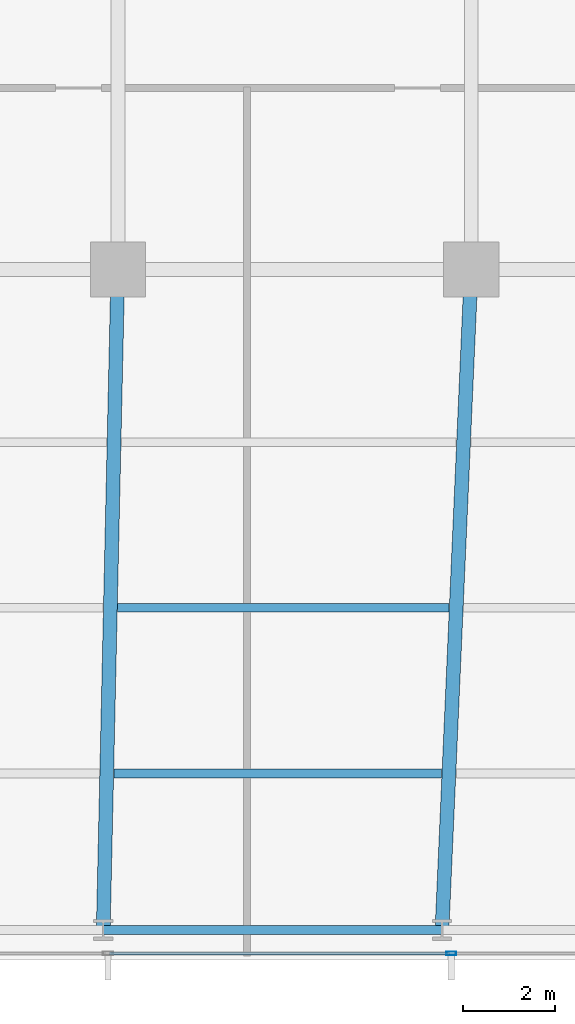
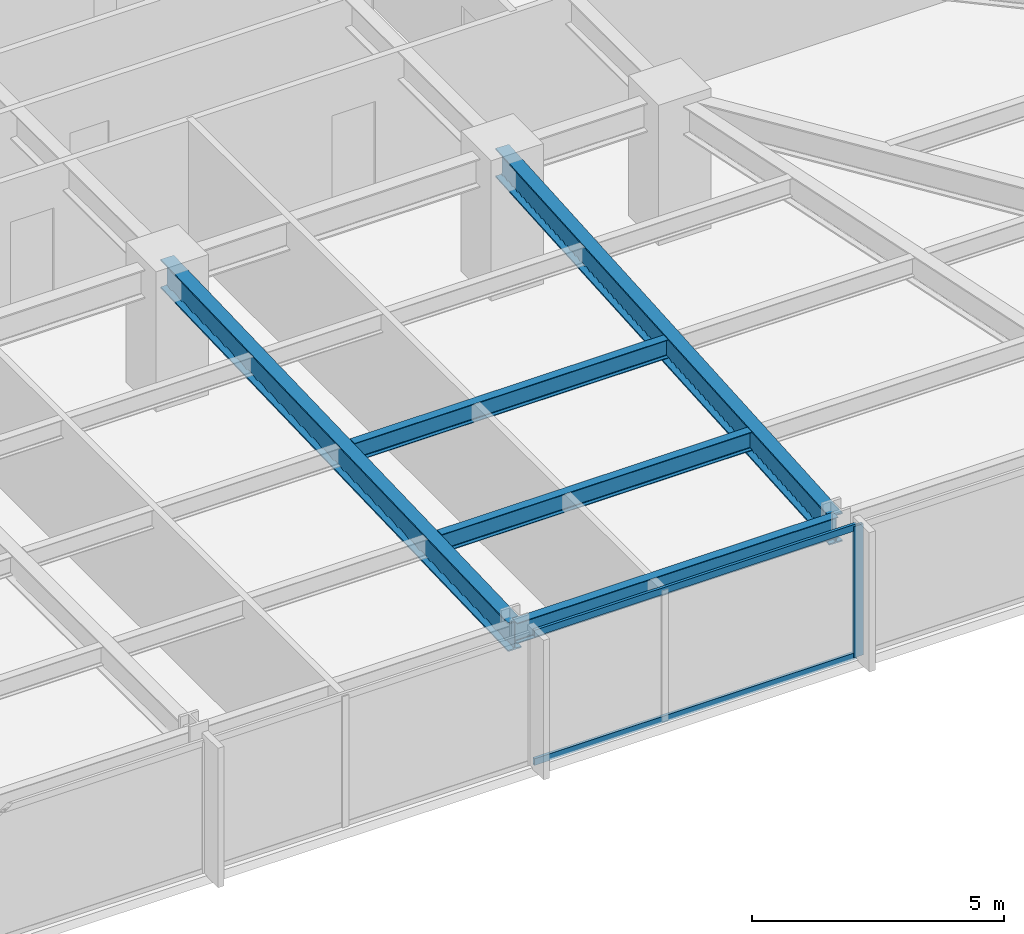
# One storey, part 12 of 32: 5 beams, 3 members, 1 element without a shape of its own.
"""IFC4 building model written with IfcOpenShell, lengths in metres."""

import ifcopenshell
import ifcopenshell.guid

model = None  # the IFC model being written
_history = None  # IfcOwnerHistory: only IFC2X3 demands one
_inside = {}  # id of a spatial element -> (the spatial element, [elements in it])
_under = {}  # id of a project, library or spatial element -> (it, [spatial elements below it])
_declared = {}  # id of a project -> (the project, [libraries it declares])
_typed = {}  # id of a type object -> (the type object, [elements of that type])
_made_of = {}  # id of a material, layer set ... -> (it, [elements and type objects made of it])


def new_model(schema):
    """Start an empty IFC model of exactly this schema.

    Asked for "IFC4X3", IfcOpenShell would pick the latest addendum, in which some entities
    have other attributes; the version numbers below select the first issue.
    IFC2X3 requires an IfcOwnerHistory on every rooted entity: one is made here for all.
    """
    global model, _history
    if schema == "IFC4X3":
        model = ifcopenshell.file(schema_version=(4, 3, 0, 0))
    else:
        model = ifcopenshell.file(schema=schema)
    _inside.clear()
    _under.clear()
    _declared.clear()
    _typed.clear()
    _made_of.clear()
    _history = None
    if model.schema == "IFC2X3":
        org = make("IfcOrganization", Name="unknown")
        user = make(
            "IfcPersonAndOrganization",
            ThePerson=make("IfcPerson", FamilyName="unknown"),
            TheOrganization=org,
        )
        app = make(
            "IfcApplication",
            ApplicationDeveloper=org,
            Version="unknown",
            ApplicationFullName="unknown",
            ApplicationIdentifier="unknown",
        )
        _history = make(
            "IfcOwnerHistory",
            OwningUser=user,
            OwningApplication=app,
            ChangeAction="ADDED",
            CreationDate=0,
        )
    return model


def make(cls, **values):
    """One entity of the class cls with the attributes given. An attribute that is None is left unset."""
    return model.create_entity(
        cls, **{name: value for name, value in values.items() if value is not None}
    )


def rooted(cls, **values):
    """An entity with a GlobalId (a new one), such as an element, a storey or a relation."""
    return make(cls, GlobalId=ifcopenshell.guid.new(), OwnerHistory=_history, **values)


def si_unit(unit_type, name, prefix=None):
    """IfcSIUnit, for example si_unit("LENGTHUNIT", "METRE", prefix="MILLI")."""
    return make("IfcSIUnit", UnitType=unit_type, Prefix=prefix, Name=name)


def assignment(units):
    """IfcUnitAssignment: the units of a project."""
    return None if units is None else make("IfcUnitAssignment", Units=units)


def point(xyz):
    """IfcCartesianPoint."""
    return None if xyz is None else make("IfcCartesianPoint", Coordinates=xyz)


def direction(xyz):
    """IfcDirection."""
    return None if xyz is None else make("IfcDirection", DirectionRatios=xyz)


def frame(location, z_axis=None, x_axis=None):
    """IfcAxis2Placement3D, a coordinate frame: its origin and axes. An axis left out is left unset."""
    return make(
        "IfcAxis2Placement3D",
        Location=point(location),
        Axis=direction(z_axis),
        RefDirection=direction(x_axis),
    )


def frame_2d(location, x_axis=None):
    """IfcAxis2Placement2D, a coordinate frame in the plane: its origin and x axis."""
    return make(
        "IfcAxis2Placement2D", Location=point(location), RefDirection=direction(x_axis)
    )


def origin():
    """The frame at (0, 0, 0) with its axes left unset."""
    return frame((0.0, 0.0, 0.0))


def origin_2d():
    """The frame at (0, 0) in the plane with its x axis left unset."""
    return frame_2d((0.0, 0.0))


def place(relative_to, where):
    """IfcLocalPlacement: puts the frame where relative to a parent placement (None: the world)."""
    return make(
        "IfcLocalPlacement", PlacementRelTo=relative_to, RelativePlacement=where
    )


def context(
    kind, dimensions, precision=None, world=None, true_north=None, identifier=None
):
    """IfcGeometricRepresentationContext, for example the 3D "Model" context."""
    return make(
        "IfcGeometricRepresentationContext",
        ContextIdentifier=identifier,
        ContextType=kind,
        CoordinateSpaceDimension=dimensions,
        Precision=precision,
        WorldCoordinateSystem=world,
        TrueNorth=true_north,
    )


def subcontext(parent, identifier, kind, view, scale=None):
    """IfcGeometricRepresentationSubContext, for example "Body" below "Model"."""
    return make(
        "IfcGeometricRepresentationSubContext",
        ContextIdentifier=identifier,
        ContextType=kind,
        ParentContext=parent,
        TargetScale=scale,
        TargetView=view,
    )


def project(units=None, contexts=None):
    """IfcProject with its units and contexts."""
    return rooted(
        "IfcProject",
        Name="project",
        RepresentationContexts=contexts,
        UnitsInContext=assignment(units),
    )


def spatial(cls, under=None, at=None, **own):
    """A site, building, storey or space (cls), placed at a placement, below another one or the project."""
    s = rooted(cls, ObjectPlacement=at, **own)
    if under is not None:
        _under.setdefault(under.id(), (under, []))[1].append(s)
    return s


def profile(cls, at=None, kind="AREA", **sizes):
    """A parametric profile (cls). Its sizes go by their IFC names, for example OverallWidth=200.0."""
    return make(cls, ProfileType=kind, Position=at, **sizes)


def hollow_rectangle(**sizes):
    """IfcRectangleHollowProfileDef."""
    return profile("IfcRectangleHollowProfileDef", **sizes)


def i_section(**sizes):
    """IfcIShapeProfileDef."""
    return profile("IfcIShapeProfileDef", **sizes)


def extrude(swept, where, along, depth):
    """IfcExtrudedAreaSolid: the profile swept, set in the frame where, extruded along a direction by depth."""
    return make(
        "IfcExtrudedAreaSolid",
        SweptArea=swept,
        Position=where,
        ExtrudedDirection=direction(along),
        Depth=depth,
    )


def shape(context_of_items, identifier, shape_type, items):
    """IfcShapeRepresentation: the items that make up one representation, for example the "Body"."""
    return make(
        "IfcShapeRepresentation",
        ContextOfItems=context_of_items,
        RepresentationIdentifier=identifier,
        RepresentationType=shape_type,
        Items=items,
    )


def material(Name=None, Category=None):
    """IfcMaterial."""
    return make("IfcMaterial", Name=Name, Category=Category)


def material_profile(
    of_material, cross_section, Name=None, Category=None, Priority=None
):
    """IfcMaterialProfile: a cross section and its material."""
    return make(
        "IfcMaterialProfile",
        Name=Name,
        Material=of_material,
        Profile=cross_section,
        Priority=Priority,
        Category=Category,
    )


def profile_set(profiles, Name=None, composite=None):
    """IfcMaterialProfileSet."""
    return make(
        "IfcMaterialProfileSet",
        Name=Name,
        MaterialProfiles=profiles,
        CompositeProfile=composite,
    )


def made_of(thing, what):
    """Note that an element or type object is made of a material, layer set ...; save() writes the relation."""
    if what is not None:
        _made_of.setdefault(what.id(), (what, []))[1].append(thing)
    return thing


def type_object(cls, material=None, **own):
    """A type object (cls), such as IfcWallType, which elements share."""
    return made_of(rooted(cls, **own), material)


def element(
    cls,
    number,
    at=None,
    inside=None,
    cuts=None,
    type_object=None,
    material=None,
    context=None,
    identifier="Body",
    shape_type=None,
    held_by="IfcProductDefinitionShape",
    body=None,
    shapes=None,
    **own,
):
    """One element of the class cls, such as IfcWall. Its Tag is "e" and its number.

    at: its placement. inside: the storey or other place that contains it. cuts: it is an
    opening in that element (IfcRelVoidsElement). A single representation is given by context,
    identifier, shape_type and body (its items); several are given by shapes. held_by: the class
    of the entity that holds the representations. save() writes the other relations.
    """
    e = rooted(cls, Tag="e%d" % number, ObjectPlacement=at, **own)
    if body is not None:
        shapes = [shape(context, identifier, shape_type, body)]
    if shapes is not None:
        e.Representation = make(held_by, Representations=shapes)
    if inside is not None:
        _inside.setdefault(inside.id(), (inside, []))[1].append(e)
    if cuts is not None:
        rooted(
            "IfcRelVoidsElement", RelatingBuildingElement=cuts, RelatedOpeningElement=e
        )
    if type_object is not None:
        _typed.setdefault(type_object.id(), (type_object, []))[1].append(e)
    return made_of(e, material)


def aggregate(whole, parts):
    """IfcRelAggregates: a whole, such as a stair, and the parts it consists of."""
    return rooted("IfcRelAggregates", RelatingObject=whole, RelatedObjects=parts)


def save(model, path):
    """Write the relations noted so far, then the file.

    IfcRelAggregates (storeys below a building ...), IfcRelContainedInSpatialStructure (elements
    in a storey), IfcRelDefinesByType, IfcRelAssociatesMaterial and IfcRelDeclares: one each for
    every whole, place, type object, material and project.
    """
    for whole, parts in _under.values():
        aggregate(whole, parts)
    for where, things in _inside.values():
        rooted(
            "IfcRelContainedInSpatialStructure",
            RelatedElements=things,
            RelatingStructure=where,
        )
    for kind, things in _typed.values():
        rooted("IfcRelDefinesByType", RelatedObjects=things, RelatingType=kind)
    for what, things in _made_of.values():
        rooted("IfcRelAssociatesMaterial", RelatedObjects=things, RelatingMaterial=what)
    for by, libraries in _declared.values():
        rooted("IfcRelDeclares", RelatingContext=by, RelatedDefinitions=libraries)
    model.write(path)


model = new_model("IFC4")

# Units and contexts
model_context = context("Model", 3, precision=1e-05, world=origin(), true_north=direction((0.0, 1.0)))
body_context = subcontext(model_context, "Body", "Model", "MODEL_VIEW")
ifc_project = project(units=[si_unit("LENGTHUNIT", "METRE"), si_unit("AREAUNIT", "SQUARE_METRE"), si_unit("VOLUMEUNIT", "CUBIC_METRE"), si_unit("PLANEANGLEUNIT", "RADIAN"), si_unit("MASSUNIT", "GRAM", prefix="KILO")], contexts=[model_context])

# Site, building, storey
site_placement = place(None, origin())
site = spatial("IfcSite", under=ifc_project, at=site_placement, CompositionType="ELEMENT")
building_placement = place(site_placement, origin())
building = spatial("IfcBuilding", under=site, at=building_placement, Name="Yelkora Congress Tower", CompositionType="ELEMENT")
storey_placement = place(building_placement, frame((0.0, 0.0, 67.800048828125)))
storey = spatial("IfcBuildingStorey", under=building, at=storey_placement, Name="L17", CompositionType="ELEMENT", Elevation=67.800048828125)

# Beams
ifc_material_1 = material(Name="Steel S355J2", Category="steel")
ifc_material_profile_1 = material_profile(ifc_material_1, i_section(OverallWidth=0.300048828125, OverallDepth=0.699951171875, WebThickness=0.01708984375, FlangeThickness=0.031982421875, FilletRadius=0.027099609375, at=origin_2d()), Name="HEB 700")
ifc_profile_set_1 = profile_set([ifc_material_profile_1], Name="Steel S355J2")
beam_type_1 = type_object("IfcBeamType", Name="BM-GIRD-HEB700", PredefinedType="BEAM", material=ifc_profile_set_1)
beam_1_placement = place(storey_placement, frame((45.762451171875, 10.85009765625, 2.829833984375), z_axis=(0.022129088136, 0.999755121746, 0.0), x_axis=(-0.999755121746, 0.022129088136, 0.0)))
element("IfcBeam", 1, at=beam_1_placement, inside=storey, type_object=beam_type_1, Name="L17 Primary Frame Girder S06", PredefinedType="BEAM", context=body_context, shape_type="SweptSolid", body=[
    extrude(i_section(OverallWidth=0.300048828125, OverallDepth=0.699951171875, WebThickness=0.01708984375, FlangeThickness=0.031982421875, FilletRadius=0.027099609375, at=origin_2d()), origin(), (0.0, 0.0, 1.0), 14.353271484375),
])
beam_2_placement = place(storey_placement, frame((53.125, 10.85009765625, 2.829833984375), z_axis=(0.044208738849, 0.999022315771, 0.0), x_axis=(-0.999022315771, 0.044208738849, 0.0)))
element("IfcBeam", 2, at=beam_2_placement, inside=storey, type_object=beam_type_1, Name="L17 Primary Frame Girder S07", PredefinedType="BEAM", context=body_context, shape_type="SweptSolid", body=[
    extrude(i_section(OverallWidth=0.300048828125, OverallDepth=0.699951171875, WebThickness=0.01708984375, FlangeThickness=0.031982421875, FilletRadius=0.027099609375, at=origin_2d()), origin(), (0.0, 0.0, 1.0), 14.364013671875),
])
ifc_material_profile_2 = material_profile(ifc_material_1, i_section(OverallWidth=0.18994140625, OverallDepth=0.449951171875, WebThickness=0.009521484375, FlangeThickness=0.0146484375, FilletRadius=0.02099609375, at=origin_2d()), Name="IPE 450")
ifc_profile_set_2 = profile_set([ifc_material_profile_2], Name="Steel S355J2")
beam_type_2 = type_object("IfcBeamType", Name="BM-JOIST-IPE450", PredefinedType="JOIST", material=ifc_profile_set_2)
beam_3_placement = place(storey_placement, frame((45.997802734375, 14.25, 2.954833984375), z_axis=(1.0, 0.0, 0.0), x_axis=(0.0, 1.0, 0.0)))
element("IfcBeam", 3, at=beam_3_placement, inside=storey, type_object=beam_type_2, Name="L17 Composite Floor Joist 6", PredefinedType="JOIST", context=body_context, shape_type="SweptSolid", body=[
    extrude(i_section(OverallWidth=0.18994140625, OverallDepth=0.449951171875, WebThickness=0.009521484375, FlangeThickness=0.0146484375, FilletRadius=0.02099609375, at=origin_2d()), origin(), (0.0, 0.0, 1.0), 7.11767578125),
])
beam_4_placement = place(storey_placement, frame((46.077392578125, 17.85009765625, 2.954833984375), z_axis=(1.0, 0.0, 0.0), x_axis=(0.0, 1.0, 0.0)))
element("IfcBeam", 4, at=beam_4_placement, inside=storey, type_object=beam_type_2, Name="L17 Composite Floor Joist 14", PredefinedType="JOIST", context=body_context, shape_type="SweptSolid", body=[
    extrude(i_section(OverallWidth=0.18994140625, OverallDepth=0.449951171875, WebThickness=0.009521484375, FlangeThickness=0.0146484375, FilletRadius=0.02099609375, at=origin_2d()), origin(), (0.0, 0.0, 1.0), 7.197509765625),
])
ifc_material_profile_3 = material_profile(ifc_material_1, i_section(OverallWidth=0.199951171875, OverallDepth=0.5, WebThickness=0.01025390625, FlangeThickness=0.01611328125, FilletRadius=0.02099609375, at=origin_2d()), Name="IPE 500")
ifc_profile_set_3 = profile_set([ifc_material_profile_3], Name="Steel S355J2")
beam_type_3 = type_object("IfcBeamType", Name="BM-SPAN-IPE500", PredefinedType="SPANDREL", material=ifc_profile_set_3)
beam_5_placement = place(storey_placement, frame((45.762451171875, 10.85009765625, 2.929931640625), z_axis=(1.0, 0.0, 0.0), x_axis=(0.0, 1.0, 0.0)))
element("IfcBeam", 5, at=beam_5_placement, inside=storey, type_object=beam_type_3, Name="L17 Perimeter Beam 7", PredefinedType="SPANDREL", context=body_context, shape_type="SweptSolid", body=[
    extrude(i_section(OverallWidth=0.199951171875, OverallDepth=0.5, WebThickness=0.01025390625, FlangeThickness=0.01611328125, FilletRadius=0.02099609375, at=origin_2d()), origin(), (0.0, 0.0, 1.0), 7.362548828125),
])

# Curtain wall, members
ifc_material_2 = material(Name="Anodised aluminium and insulated glass", Category="aluminium")
curtain_wall_type = type_object("IfcCurtainWallType", Name="CW-SYS-B1", PredefinedType="NOTDEFINED", material=ifc_material_2)
curtain_wall_placement = place(storey_placement, origin())
curtain_wall = element("IfcCurtainWall", 6, at=curtain_wall_placement, inside=storey, type_object=curtain_wall_type, Name="L17 Unitised Curtain Wall 20", PredefinedType="NOTDEFINED")
ifc_material_3 = material(Name="Anodised aluminium 6063-T6", Category="aluminium")
ifc_material_profile_4 = material_profile(ifc_material_3, hollow_rectangle(XDim=0.074951171875, YDim=0.219970703125, WallThickness=0.0048828125, at=origin_2d()), Name="ALU 75x220x5")
ifc_profile_set_4 = profile_set([ifc_material_profile_4], Name="Anodised aluminium 6063-T6")
member_type_1 = type_object("IfcMemberType", Name="MEM-ML-B1", PredefinedType="MULLION", material=ifc_profile_set_4)
member_1_placement = place(storey_placement, frame((53.330078125, 10.340087890625, 0.0), z_axis=(0.0, 0.0, 1.0), x_axis=(0.0, -1.0, 0.0)))
member_1 = element("IfcMember", 7, at=member_1_placement, type_object=member_type_1, Name="CW-B1 mullion 3", PredefinedType="MULLION", context=body_context, shape_type="SweptSolid", body=[
    extrude(hollow_rectangle(XDim=0.074951171875, YDim=0.219970703125, WallThickness=0.0048828125, at=origin_2d()), origin(), (0.0, 0.0, 1.0), 3.179931640625),
])
ifc_material_profile_5 = material_profile(ifc_material_3, hollow_rectangle(XDim=0.06494140625, YDim=0.159912109375, WallThickness=0.00390625, at=origin_2d()), Name="ALU 65x160x4")
ifc_profile_set_5 = profile_set([ifc_material_profile_5], Name="Anodised aluminium 6063-T6")
member_type_2 = type_object("IfcMemberType", Name="MEM-TR-B1", PredefinedType="USERDEFINED", material=ifc_profile_set_5)
member_2_placement = place(storey_placement, frame((53.29248046875, 10.340087890625, 0.032470703125), z_axis=(-1.0, 0.0, 0.0), x_axis=(0.0, -1.0, 0.0)))
member_2 = element("IfcMember", 8, at=member_2_placement, type_object=member_type_2, Name="CW-B1 transom 3.1", ObjectType="TRANSOM", PredefinedType="USERDEFINED", context=body_context, shape_type="SweptSolid", body=[
    extrude(hollow_rectangle(XDim=0.06494140625, YDim=0.159912109375, WallThickness=0.00390625, at=origin_2d()), origin(), (0.0, 0.0, 1.0), 7.389892578125),
])
member_3_placement = place(storey_placement, frame((53.29248046875, 10.340087890625, 3.1474609375), z_axis=(-1.0, 0.0, 0.0), x_axis=(0.0, -1.0, 0.0)))
member_3 = element("IfcMember", 9, at=member_3_placement, type_object=member_type_2, Name="CW-B1 transom 3.2", ObjectType="TRANSOM", PredefinedType="USERDEFINED", context=body_context, shape_type="SweptSolid", body=[
    extrude(hollow_rectangle(XDim=0.06494140625, YDim=0.159912109375, WallThickness=0.00390625, at=origin_2d()), origin(), (0.0, 0.0, 1.0), 7.389892578125),
])
aggregate(curtain_wall, [member_1, member_2, member_3])

save(model, "model.ifc")
